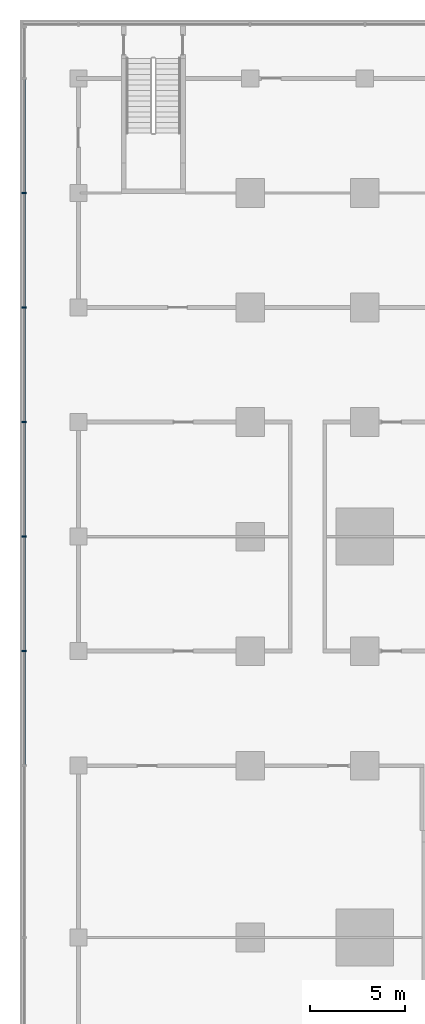
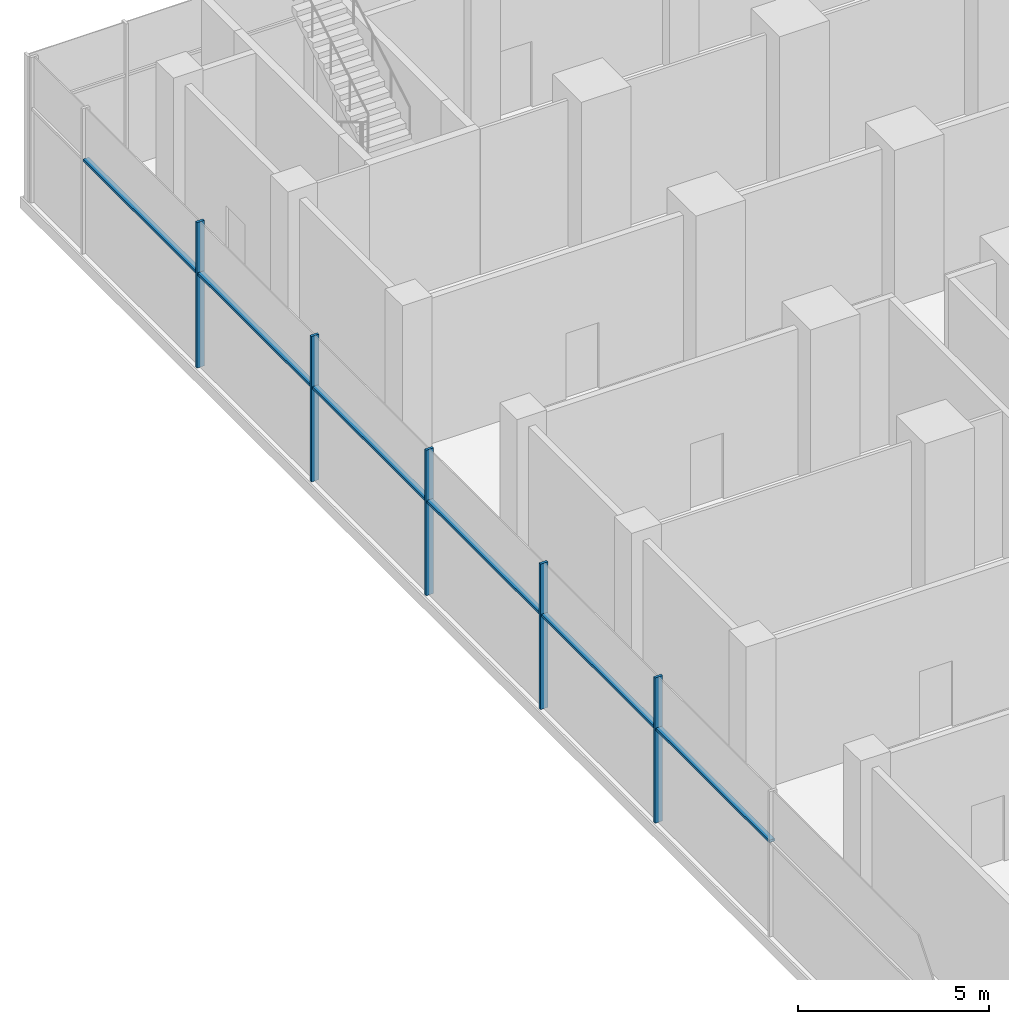
# One storey, part 4 of 22: 11 members, 1 element without a shape of its own.
"""IFC4 building model written with IfcOpenShell, lengths in metres."""

import ifcopenshell
import ifcopenshell.guid

model = None  # the IFC model being written
_history = None  # IfcOwnerHistory: only IFC2X3 demands one
_inside = {}  # id of a spatial element -> (the spatial element, [elements in it])
_under = {}  # id of a project, library or spatial element -> (it, [spatial elements below it])
_declared = {}  # id of a project -> (the project, [libraries it declares])
_typed = {}  # id of a type object -> (the type object, [elements of that type])
_made_of = {}  # id of a material, layer set ... -> (it, [elements and type objects made of it])


def new_model(schema):
    """Start an empty IFC model of exactly this schema.

    Asked for "IFC4X3", IfcOpenShell would pick the latest addendum, in which some entities
    have other attributes; the version numbers below select the first issue.
    IFC2X3 requires an IfcOwnerHistory on every rooted entity: one is made here for all.
    """
    global model, _history
    if schema == "IFC4X3":
        model = ifcopenshell.file(schema_version=(4, 3, 0, 0))
    else:
        model = ifcopenshell.file(schema=schema)
    _inside.clear()
    _under.clear()
    _declared.clear()
    _typed.clear()
    _made_of.clear()
    _history = None
    if model.schema == "IFC2X3":
        org = make("IfcOrganization", Name="unknown")
        user = make(
            "IfcPersonAndOrganization",
            ThePerson=make("IfcPerson", FamilyName="unknown"),
            TheOrganization=org,
        )
        app = make(
            "IfcApplication",
            ApplicationDeveloper=org,
            Version="unknown",
            ApplicationFullName="unknown",
            ApplicationIdentifier="unknown",
        )
        _history = make(
            "IfcOwnerHistory",
            OwningUser=user,
            OwningApplication=app,
            ChangeAction="ADDED",
            CreationDate=0,
        )
    return model


def make(cls, **values):
    """One entity of the class cls with the attributes given. An attribute that is None is left unset."""
    return model.create_entity(
        cls, **{name: value for name, value in values.items() if value is not None}
    )


def rooted(cls, **values):
    """An entity with a GlobalId (a new one), such as an element, a storey or a relation."""
    return make(cls, GlobalId=ifcopenshell.guid.new(), OwnerHistory=_history, **values)


def si_unit(unit_type, name, prefix=None):
    """IfcSIUnit, for example si_unit("LENGTHUNIT", "METRE", prefix="MILLI")."""
    return make("IfcSIUnit", UnitType=unit_type, Prefix=prefix, Name=name)


def assignment(units):
    """IfcUnitAssignment: the units of a project."""
    return None if units is None else make("IfcUnitAssignment", Units=units)


def point(xyz):
    """IfcCartesianPoint."""
    return None if xyz is None else make("IfcCartesianPoint", Coordinates=xyz)


def direction(xyz):
    """IfcDirection."""
    return None if xyz is None else make("IfcDirection", DirectionRatios=xyz)


def frame(location, z_axis=None, x_axis=None):
    """IfcAxis2Placement3D, a coordinate frame: its origin and axes. An axis left out is left unset."""
    return make(
        "IfcAxis2Placement3D",
        Location=point(location),
        Axis=direction(z_axis),
        RefDirection=direction(x_axis),
    )


def frame_2d(location, x_axis=None):
    """IfcAxis2Placement2D, a coordinate frame in the plane: its origin and x axis."""
    return make(
        "IfcAxis2Placement2D", Location=point(location), RefDirection=direction(x_axis)
    )


def origin():
    """The frame at (0, 0, 0) with its axes left unset."""
    return frame((0.0, 0.0, 0.0))


def origin_2d():
    """The frame at (0, 0) in the plane with its x axis left unset."""
    return frame_2d((0.0, 0.0))


def place(relative_to, where):
    """IfcLocalPlacement: puts the frame where relative to a parent placement (None: the world)."""
    return make(
        "IfcLocalPlacement", PlacementRelTo=relative_to, RelativePlacement=where
    )


def context(
    kind, dimensions, precision=None, world=None, true_north=None, identifier=None
):
    """IfcGeometricRepresentationContext, for example the 3D "Model" context."""
    return make(
        "IfcGeometricRepresentationContext",
        ContextIdentifier=identifier,
        ContextType=kind,
        CoordinateSpaceDimension=dimensions,
        Precision=precision,
        WorldCoordinateSystem=world,
        TrueNorth=true_north,
    )


def subcontext(parent, identifier, kind, view, scale=None):
    """IfcGeometricRepresentationSubContext, for example "Body" below "Model"."""
    return make(
        "IfcGeometricRepresentationSubContext",
        ContextIdentifier=identifier,
        ContextType=kind,
        ParentContext=parent,
        TargetScale=scale,
        TargetView=view,
    )


def project(units=None, contexts=None):
    """IfcProject with its units and contexts."""
    return rooted(
        "IfcProject",
        Name="project",
        RepresentationContexts=contexts,
        UnitsInContext=assignment(units),
    )


def spatial(cls, under=None, at=None, **own):
    """A site, building, storey or space (cls), placed at a placement, below another one or the project."""
    s = rooted(cls, ObjectPlacement=at, **own)
    if under is not None:
        _under.setdefault(under.id(), (under, []))[1].append(s)
    return s


def profile(cls, at=None, kind="AREA", **sizes):
    """A parametric profile (cls). Its sizes go by their IFC names, for example OverallWidth=200.0."""
    return make(cls, ProfileType=kind, Position=at, **sizes)


def rectangle(**sizes):
    """IfcRectangleProfileDef."""
    return profile("IfcRectangleProfileDef", **sizes)


def extrude(swept, where, along, depth):
    """IfcExtrudedAreaSolid: the profile swept, set in the frame where, extruded along a direction by depth."""
    return make(
        "IfcExtrudedAreaSolid",
        SweptArea=swept,
        Position=where,
        ExtrudedDirection=direction(along),
        Depth=depth,
    )


def shape(context_of_items, identifier, shape_type, items):
    """IfcShapeRepresentation: the items that make up one representation, for example the "Body"."""
    return make(
        "IfcShapeRepresentation",
        ContextOfItems=context_of_items,
        RepresentationIdentifier=identifier,
        RepresentationType=shape_type,
        Items=items,
    )


def material(Name=None, Category=None):
    """IfcMaterial."""
    return make("IfcMaterial", Name=Name, Category=Category)


def material_profile(
    of_material, cross_section, Name=None, Category=None, Priority=None
):
    """IfcMaterialProfile: a cross section and its material."""
    return make(
        "IfcMaterialProfile",
        Name=Name,
        Material=of_material,
        Profile=cross_section,
        Priority=Priority,
        Category=Category,
    )


def profile_set(profiles, Name=None, composite=None):
    """IfcMaterialProfileSet."""
    return make(
        "IfcMaterialProfileSet",
        Name=Name,
        MaterialProfiles=profiles,
        CompositeProfile=composite,
    )


def made_of(thing, what):
    """Note that an element or type object is made of a material, layer set ...; save() writes the relation."""
    if what is not None:
        _made_of.setdefault(what.id(), (what, []))[1].append(thing)
    return thing


def type_object(cls, material=None, **own):
    """A type object (cls), such as IfcWallType, which elements share."""
    return made_of(rooted(cls, **own), material)


def element(
    cls,
    number,
    at=None,
    inside=None,
    cuts=None,
    type_object=None,
    material=None,
    context=None,
    identifier="Body",
    shape_type=None,
    held_by="IfcProductDefinitionShape",
    body=None,
    shapes=None,
    **own,
):
    """One element of the class cls, such as IfcWall. Its Tag is "e" and its number.

    at: its placement. inside: the storey or other place that contains it. cuts: it is an
    opening in that element (IfcRelVoidsElement). A single representation is given by context,
    identifier, shape_type and body (its items); several are given by shapes. held_by: the class
    of the entity that holds the representations. save() writes the other relations.
    """
    e = rooted(cls, Tag="e%d" % number, ObjectPlacement=at, **own)
    if body is not None:
        shapes = [shape(context, identifier, shape_type, body)]
    if shapes is not None:
        e.Representation = make(held_by, Representations=shapes)
    if inside is not None:
        _inside.setdefault(inside.id(), (inside, []))[1].append(e)
    if cuts is not None:
        rooted(
            "IfcRelVoidsElement", RelatingBuildingElement=cuts, RelatedOpeningElement=e
        )
    if type_object is not None:
        _typed.setdefault(type_object.id(), (type_object, []))[1].append(e)
    return made_of(e, material)


def aggregate(whole, parts):
    """IfcRelAggregates: a whole, such as a stair, and the parts it consists of."""
    return rooted("IfcRelAggregates", RelatingObject=whole, RelatedObjects=parts)


def save(model, path):
    """Write the relations noted so far, then the file.

    IfcRelAggregates (storeys below a building ...), IfcRelContainedInSpatialStructure (elements
    in a storey), IfcRelDefinesByType, IfcRelAssociatesMaterial and IfcRelDeclares: one each for
    every whole, place, type object, material and project.
    """
    for whole, parts in _under.values():
        aggregate(whole, parts)
    for where, things in _inside.values():
        rooted(
            "IfcRelContainedInSpatialStructure",
            RelatedElements=things,
            RelatingStructure=where,
        )
    for kind, things in _typed.values():
        rooted("IfcRelDefinesByType", RelatedObjects=things, RelatingType=kind)
    for what, things in _made_of.values():
        rooted("IfcRelAssociatesMaterial", RelatedObjects=things, RelatingMaterial=what)
    for by, libraries in _declared.values():
        rooted("IfcRelDeclares", RelatingContext=by, RelatedDefinitions=libraries)
    model.write(path)


model = new_model("IFC4")

# Units and contexts
model_context = context("Model", 3, precision=1e-05, world=origin(), true_north=direction((0.0, 1.0)))
body_context = subcontext(model_context, "Body", "Model", "MODEL_VIEW")
ifc_project = project(units=[si_unit("LENGTHUNIT", "METRE"), si_unit("AREAUNIT", "SQUARE_METRE"), si_unit("VOLUMEUNIT", "CUBIC_METRE"), si_unit("PLANEANGLEUNIT", "RADIAN"), si_unit("MASSUNIT", "GRAM", prefix="KILO")], contexts=[model_context])

# Site, building, storey
site_placement = place(None, origin())
site = spatial("IfcSite", under=ifc_project, at=site_placement, CompositionType="ELEMENT")
building_placement = place(site_placement, origin())
building = spatial("IfcBuilding", under=site, at=building_placement, Name="Finial Court Residences", CompositionType="ELEMENT")
storey_placement = place(building_placement, frame((0.0, 0.0, 13.5)))
storey = spatial("IfcBuildingStorey", under=building, at=storey_placement, Name="L02", CompositionType="ELEMENT", Elevation=13.5)

# Curtain wall, members
ifc_material = material(Name="Bronze anodised aluminium", Category="aluminium")
curtain_wall_type = type_object("IfcCurtainWallType", Name="Podium curtain wall", PredefinedType="NOTDEFINED", material=ifc_material)
curtain_wall_placement = place(storey_placement, origin())
curtain_wall = element("IfcCurtainWall", 1, at=curtain_wall_placement, inside=storey, type_object=curtain_wall_type, Name="E-L02-CW-W4", PredefinedType="NOTDEFINED")
ifc_material_profile_1 = material_profile(ifc_material, rectangle(XDim=0.22509765625, YDim=0.080078125, at=origin_2d()), Name="CW5 mullion 80 x 225")
ifc_profile_set_1 = profile_set([ifc_material_profile_1], Name="Bronze anodised aluminium")
member_type_1 = type_object("IfcMemberType", Name="CW5 mullion 80 x 225", PredefinedType="MULLION", material=ifc_profile_set_1)
member_1_placement = place(storey_placement, frame((-34.35009765625, 1.5, 0.0), z_axis=(0.0, 0.0, 1.0), x_axis=(-1.0, 0.0, 0.0)))
member_1 = element("IfcMember", 2, at=member_1_placement, type_object=member_type_1, Name="CW5 mullion 6", PredefinedType="MULLION", context=body_context, shape_type="SweptSolid", body=[
    extrude(rectangle(XDim=0.22509765625, YDim=0.080078125, at=origin_2d()), origin(), (0.0, 0.0, 1.0), 4.64990234375),
])
member_2_placement = place(storey_placement, frame((-34.35009765625, 7.5, 0.0), z_axis=(0.0, 0.0, 1.0), x_axis=(-1.0, 0.0, 0.0)))
member_2 = element("IfcMember", 3, at=member_2_placement, type_object=member_type_1, Name="CW5 mullion 7", PredefinedType="MULLION", context=body_context, shape_type="SweptSolid", body=[
    extrude(rectangle(XDim=0.22509765625, YDim=0.080078125, at=origin_2d()), origin(), (0.0, 0.0, 1.0), 4.64990234375),
])
member_3_placement = place(storey_placement, frame((-34.35009765625, 13.5, 0.0), z_axis=(0.0, 0.0, 1.0), x_axis=(-1.0, 0.0, 0.0)))
member_3 = element("IfcMember", 4, at=member_3_placement, type_object=member_type_1, Name="CW5 mullion 8", PredefinedType="MULLION", context=body_context, shape_type="SweptSolid", body=[
    extrude(rectangle(XDim=0.22509765625, YDim=0.080078125, at=origin_2d()), origin(), (0.0, 0.0, 1.0), 4.64990234375),
])
member_4_placement = place(storey_placement, frame((-34.35009765625, 19.5, 0.0), z_axis=(0.0, 0.0, 1.0), x_axis=(-1.0, 0.0, 0.0)))
member_4 = element("IfcMember", 5, at=member_4_placement, type_object=member_type_1, Name="CW5 mullion 9", PredefinedType="MULLION", context=body_context, shape_type="SweptSolid", body=[
    extrude(rectangle(XDim=0.22509765625, YDim=0.080078125, at=origin_2d()), origin(), (0.0, 0.0, 1.0), 4.64990234375),
])
member_5_placement = place(storey_placement, frame((-34.35009765625, 25.5, 0.0), z_axis=(0.0, 0.0, 1.0), x_axis=(-1.0, 0.0, 0.0)))
member_5 = element("IfcMember", 6, at=member_5_placement, type_object=member_type_1, Name="CW5 mullion 10", PredefinedType="MULLION", context=body_context, shape_type="SweptSolid", body=[
    extrude(rectangle(XDim=0.22509765625, YDim=0.080078125, at=origin_2d()), origin(), (0.0, 0.0, 1.0), 4.64990234375),
])
ifc_material_profile_2 = material_profile(ifc_material, rectangle(XDim=0.175048828125, YDim=0.080078125, at=origin_2d()), Name="CW5 transom 80 x 175")
ifc_profile_set_2 = profile_set([ifc_material_profile_2], Name="Bronze anodised aluminium")
member_type_2 = type_object("IfcMemberType", Name="CW5 transom 80 x 175", PredefinedType="USERDEFINED", material=ifc_profile_set_2)
member_6_placement = place(storey_placement, frame((-34.35009765625, -4.4599609375, 3.0), z_axis=(0.0, 1.0, 0.0), x_axis=(-1.0, 0.0, 0.0)))
member_6 = element("IfcMember", 7, at=member_6_placement, type_object=member_type_2, Name="CW5 transom 5.1", ObjectType="TRANSOM", PredefinedType="USERDEFINED", context=body_context, shape_type="SweptSolid", body=[
    extrude(rectangle(XDim=0.175048828125, YDim=0.080078125, at=origin_2d()), origin(), (0.0, 0.0, 1.0), 5.919921875),
])
member_7_placement = place(storey_placement, frame((-34.35009765625, 1.5400390625, 3.0), z_axis=(0.0, 1.0, 0.0), x_axis=(-1.0, 0.0, 0.0)))
member_7 = element("IfcMember", 8, at=member_7_placement, type_object=member_type_2, Name="CW5 transom 6.1", ObjectType="TRANSOM", PredefinedType="USERDEFINED", context=body_context, shape_type="SweptSolid", body=[
    extrude(rectangle(XDim=0.175048828125, YDim=0.080078125, at=origin_2d()), origin(), (0.0, 0.0, 1.0), 5.919921875),
])
member_8_placement = place(storey_placement, frame((-34.35009765625, 7.5400390625, 3.0), z_axis=(0.0, 1.0, 0.0), x_axis=(-1.0, 0.0, 0.0)))
member_8 = element("IfcMember", 9, at=member_8_placement, type_object=member_type_2, Name="CW5 transom 7.1", ObjectType="TRANSOM", PredefinedType="USERDEFINED", context=body_context, shape_type="SweptSolid", body=[
    extrude(rectangle(XDim=0.175048828125, YDim=0.080078125, at=origin_2d()), origin(), (0.0, 0.0, 1.0), 5.919921875),
])
member_9_placement = place(storey_placement, frame((-34.35009765625, 13.5400390625, 3.0), z_axis=(0.0, 1.0, 0.0), x_axis=(-1.0, 0.0, 0.0)))
member_9 = element("IfcMember", 10, at=member_9_placement, type_object=member_type_2, Name="CW5 transom 8.1", ObjectType="TRANSOM", PredefinedType="USERDEFINED", context=body_context, shape_type="SweptSolid", body=[
    extrude(rectangle(XDim=0.175048828125, YDim=0.080078125, at=origin_2d()), origin(), (0.0, 0.0, 1.0), 5.919921875),
])
member_10_placement = place(storey_placement, frame((-34.35009765625, 19.5400390625, 3.0), z_axis=(0.0, 1.0, 0.0), x_axis=(-1.0, 0.0, 0.0)))
member_10 = element("IfcMember", 11, at=member_10_placement, type_object=member_type_2, Name="CW5 transom 9.1", ObjectType="TRANSOM", PredefinedType="USERDEFINED", context=body_context, shape_type="SweptSolid", body=[
    extrude(rectangle(XDim=0.175048828125, YDim=0.080078125, at=origin_2d()), origin(), (0.0, 0.0, 1.0), 5.919921875),
])
member_11_placement = place(storey_placement, frame((-34.35009765625, 25.5400390625, 3.0), z_axis=(0.0, 1.0, 0.0), x_axis=(-1.0, 0.0, 0.0)))
member_11 = element("IfcMember", 12, at=member_11_placement, type_object=member_type_2, Name="CW5 transom 10.1", ObjectType="TRANSOM", PredefinedType="USERDEFINED", context=body_context, shape_type="SweptSolid", body=[
    extrude(rectangle(XDim=0.175048828125, YDim=0.080078125, at=origin_2d()), origin(), (0.0, 0.0, 1.0), 5.919921875),
])
aggregate(curtain_wall, [member_1, member_2, member_3, member_4, member_5, member_6, member_7, member_8, member_9, member_10, member_11])

save(model, "model.ifc")
